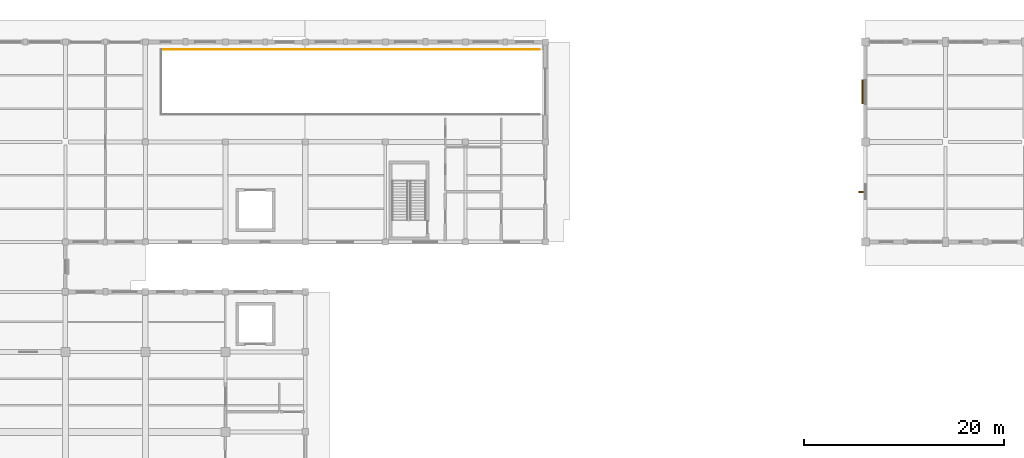
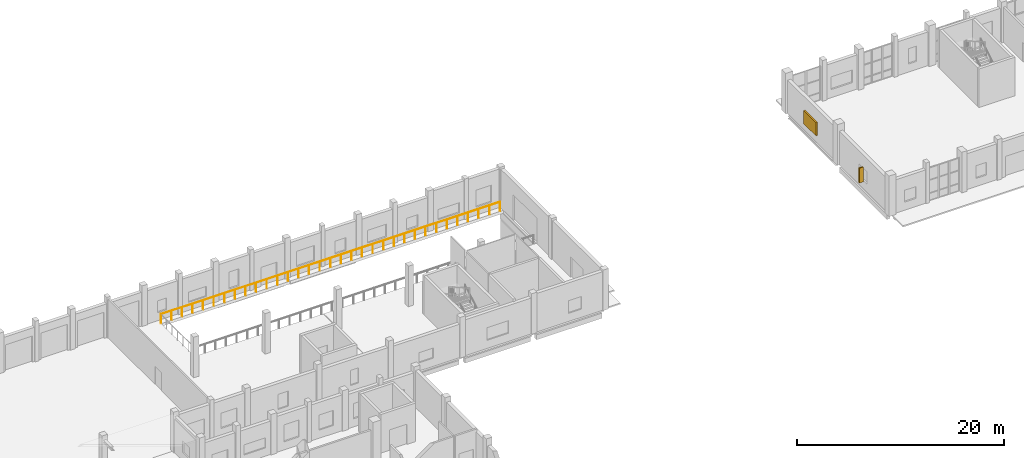
# One storey, part 148 of 156: 2 shading devices, 1 railing.
"""IFC4 building model written with IfcOpenShell, lengths in metres."""

import ifcopenshell
import ifcopenshell.guid

model = None  # the IFC model being written
_history = None  # IfcOwnerHistory: only IFC2X3 demands one
_inside = {}  # id of a spatial element -> (the spatial element, [elements in it])
_under = {}  # id of a project, library or spatial element -> (it, [spatial elements below it])
_declared = {}  # id of a project -> (the project, [libraries it declares])
_typed = {}  # id of a type object -> (the type object, [elements of that type])
_made_of = {}  # id of a material, layer set ... -> (it, [elements and type objects made of it])


def new_model(schema):
    """Start an empty IFC model of exactly this schema.

    Asked for "IFC4X3", IfcOpenShell would pick the latest addendum, in which some entities
    have other attributes; the version numbers below select the first issue.
    IFC2X3 requires an IfcOwnerHistory on every rooted entity: one is made here for all.
    """
    global model, _history
    if schema == "IFC4X3":
        model = ifcopenshell.file(schema_version=(4, 3, 0, 0))
    else:
        model = ifcopenshell.file(schema=schema)
    _inside.clear()
    _under.clear()
    _declared.clear()
    _typed.clear()
    _made_of.clear()
    _history = None
    if model.schema == "IFC2X3":
        org = make("IfcOrganization", Name="unknown")
        user = make(
            "IfcPersonAndOrganization",
            ThePerson=make("IfcPerson", FamilyName="unknown"),
            TheOrganization=org,
        )
        app = make(
            "IfcApplication",
            ApplicationDeveloper=org,
            Version="unknown",
            ApplicationFullName="unknown",
            ApplicationIdentifier="unknown",
        )
        _history = make(
            "IfcOwnerHistory",
            OwningUser=user,
            OwningApplication=app,
            ChangeAction="ADDED",
            CreationDate=0,
        )
    return model


def make(cls, **values):
    """One entity of the class cls with the attributes given. An attribute that is None is left unset."""
    return model.create_entity(
        cls, **{name: value for name, value in values.items() if value is not None}
    )


def rooted(cls, **values):
    """An entity with a GlobalId (a new one), such as an element, a storey or a relation."""
    return make(cls, GlobalId=ifcopenshell.guid.new(), OwnerHistory=_history, **values)


def si_unit(unit_type, name, prefix=None):
    """IfcSIUnit, for example si_unit("LENGTHUNIT", "METRE", prefix="MILLI")."""
    return make("IfcSIUnit", UnitType=unit_type, Prefix=prefix, Name=name)


def assignment(units):
    """IfcUnitAssignment: the units of a project."""
    return None if units is None else make("IfcUnitAssignment", Units=units)


def point(xyz):
    """IfcCartesianPoint."""
    return None if xyz is None else make("IfcCartesianPoint", Coordinates=xyz)


def direction(xyz):
    """IfcDirection."""
    return None if xyz is None else make("IfcDirection", DirectionRatios=xyz)


def frame(location, z_axis=None, x_axis=None):
    """IfcAxis2Placement3D, a coordinate frame: its origin and axes. An axis left out is left unset."""
    return make(
        "IfcAxis2Placement3D",
        Location=point(location),
        Axis=direction(z_axis),
        RefDirection=direction(x_axis),
    )


def frame_2d(location, x_axis=None):
    """IfcAxis2Placement2D, a coordinate frame in the plane: its origin and x axis."""
    return make(
        "IfcAxis2Placement2D", Location=point(location), RefDirection=direction(x_axis)
    )


def origin():
    """The frame at (0, 0, 0) with its axes left unset."""
    return frame((0.0, 0.0, 0.0))


def origin_2d():
    """The frame at (0, 0) in the plane with its x axis left unset."""
    return frame_2d((0.0, 0.0))


def place(relative_to, where):
    """IfcLocalPlacement: puts the frame where relative to a parent placement (None: the world)."""
    return make(
        "IfcLocalPlacement", PlacementRelTo=relative_to, RelativePlacement=where
    )


def context(
    kind, dimensions, precision=None, world=None, true_north=None, identifier=None
):
    """IfcGeometricRepresentationContext, for example the 3D "Model" context."""
    return make(
        "IfcGeometricRepresentationContext",
        ContextIdentifier=identifier,
        ContextType=kind,
        CoordinateSpaceDimension=dimensions,
        Precision=precision,
        WorldCoordinateSystem=world,
        TrueNorth=true_north,
    )


def subcontext(parent, identifier, kind, view, scale=None):
    """IfcGeometricRepresentationSubContext, for example "Body" below "Model"."""
    return make(
        "IfcGeometricRepresentationSubContext",
        ContextIdentifier=identifier,
        ContextType=kind,
        ParentContext=parent,
        TargetScale=scale,
        TargetView=view,
    )


def project(units=None, contexts=None):
    """IfcProject with its units and contexts."""
    return rooted(
        "IfcProject",
        Name="project",
        RepresentationContexts=contexts,
        UnitsInContext=assignment(units),
    )


def spatial(cls, under=None, at=None, **own):
    """A site, building, storey or space (cls), placed at a placement, below another one or the project."""
    s = rooted(cls, ObjectPlacement=at, **own)
    if under is not None:
        _under.setdefault(under.id(), (under, []))[1].append(s)
    return s


def profile(cls, at=None, kind="AREA", **sizes):
    """A parametric profile (cls). Its sizes go by their IFC names, for example OverallWidth=200.0."""
    return make(cls, ProfileType=kind, Position=at, **sizes)


def rectangle(**sizes):
    """IfcRectangleProfileDef."""
    return profile("IfcRectangleProfileDef", **sizes)


def circle(**sizes):
    """IfcCircleProfileDef."""
    return profile("IfcCircleProfileDef", **sizes)


def extrude(swept, where, along, depth):
    """IfcExtrudedAreaSolid: the profile swept, set in the frame where, extruded along a direction by depth."""
    return make(
        "IfcExtrudedAreaSolid",
        SweptArea=swept,
        Position=where,
        ExtrudedDirection=direction(along),
        Depth=depth,
    )


def shape(context_of_items, identifier, shape_type, items):
    """IfcShapeRepresentation: the items that make up one representation, for example the "Body"."""
    return make(
        "IfcShapeRepresentation",
        ContextOfItems=context_of_items,
        RepresentationIdentifier=identifier,
        RepresentationType=shape_type,
        Items=items,
    )


def material(Name=None, Category=None):
    """IfcMaterial."""
    return make("IfcMaterial", Name=Name, Category=Category)


def made_of(thing, what):
    """Note that an element or type object is made of a material, layer set ...; save() writes the relation."""
    if what is not None:
        _made_of.setdefault(what.id(), (what, []))[1].append(thing)
    return thing


def type_object(cls, material=None, **own):
    """A type object (cls), such as IfcWallType, which elements share."""
    return made_of(rooted(cls, **own), material)


def element(
    cls,
    number,
    at=None,
    inside=None,
    cuts=None,
    type_object=None,
    material=None,
    context=None,
    identifier="Body",
    shape_type=None,
    held_by="IfcProductDefinitionShape",
    body=None,
    shapes=None,
    **own,
):
    """One element of the class cls, such as IfcWall. Its Tag is "e" and its number.

    at: its placement. inside: the storey or other place that contains it. cuts: it is an
    opening in that element (IfcRelVoidsElement). A single representation is given by context,
    identifier, shape_type and body (its items); several are given by shapes. held_by: the class
    of the entity that holds the representations. save() writes the other relations.
    """
    e = rooted(cls, Tag="e%d" % number, ObjectPlacement=at, **own)
    if body is not None:
        shapes = [shape(context, identifier, shape_type, body)]
    if shapes is not None:
        e.Representation = make(held_by, Representations=shapes)
    if inside is not None:
        _inside.setdefault(inside.id(), (inside, []))[1].append(e)
    if cuts is not None:
        rooted(
            "IfcRelVoidsElement", RelatingBuildingElement=cuts, RelatedOpeningElement=e
        )
    if type_object is not None:
        _typed.setdefault(type_object.id(), (type_object, []))[1].append(e)
    return made_of(e, material)


def aggregate(whole, parts):
    """IfcRelAggregates: a whole, such as a stair, and the parts it consists of."""
    return rooted("IfcRelAggregates", RelatingObject=whole, RelatedObjects=parts)


def save(model, path):
    """Write the relations noted so far, then the file.

    IfcRelAggregates (storeys below a building ...), IfcRelContainedInSpatialStructure (elements
    in a storey), IfcRelDefinesByType, IfcRelAssociatesMaterial and IfcRelDeclares: one each for
    every whole, place, type object, material and project.
    """
    for whole, parts in _under.values():
        aggregate(whole, parts)
    for where, things in _inside.values():
        rooted(
            "IfcRelContainedInSpatialStructure",
            RelatedElements=things,
            RelatingStructure=where,
        )
    for kind, things in _typed.values():
        rooted("IfcRelDefinesByType", RelatedObjects=things, RelatingType=kind)
    for what, things in _made_of.values():
        rooted("IfcRelAssociatesMaterial", RelatedObjects=things, RelatingMaterial=what)
    for by, libraries in _declared.values():
        rooted("IfcRelDeclares", RelatingContext=by, RelatedDefinitions=libraries)
    model.write(path)


model = new_model("IFC4")

# Units and contexts
model_context = context("Model", 3, precision=1e-05, world=origin(), true_north=direction((0.0, 1.0)))
body_context = subcontext(model_context, "Body", "Model", "MODEL_VIEW")
ifc_project = project(units=[si_unit("LENGTHUNIT", "METRE"), si_unit("AREAUNIT", "SQUARE_METRE"), si_unit("VOLUMEUNIT", "CUBIC_METRE"), si_unit("PLANEANGLEUNIT", "RADIAN"), si_unit("MASSUNIT", "GRAM", prefix="KILO")], contexts=[model_context])

# Site, building, storey
site_placement = place(None, origin())
site = spatial("IfcSite", under=ifc_project, at=site_placement, CompositionType="ELEMENT")
building_placement = place(site_placement, origin())
building = spatial("IfcBuilding", under=site, at=building_placement, Name="Luwemba Playhouse", CompositionType="ELEMENT")
storey_placement = place(building_placement, origin())
storey = spatial("IfcBuildingStorey", under=building, at=storey_placement, Name="L00", CompositionType="ELEMENT", Elevation=0.0)

# Railing
ifc_material_1 = material(Name="Painted wrought-iron balustrade", Category="steel")
railing_type = type_object("IfcRailingType", Name="RLG-BAL-EXT", PredefinedType="BALUSTRADE", material=ifc_material_1)
railing_placement = place(storey_placement, frame((37.550048828125, 114.25, 0.0)))
element("IfcRailing", 1, at=railing_placement, inside=storey, type_object=railing_type, Name="Car park ramp portal guard 021", PredefinedType="BALUSTRADE", context=body_context, shape_type="SweptSolid", body=[
    extrude(circle(Radius=0.02392578125, at=origin_2d()), frame((0.0, 0.0, 1.09619140625), z_axis=(1.0, 0.0, 0.0), x_axis=(0.0, 1.0, 0.0)), (0.0, 0.0, 1.0), 37.89990234375),
    extrude(circle(Radius=0.02099609375, at=origin_2d()), origin(), (0.0, 0.0, 1.0), 1.072021484375),
    extrude(circle(Radius=0.02099609375, at=origin_2d()), frame((1.184326171875, 0.0, 0.0)), (0.0, 0.0, 1.0), 1.072021484375),
    extrude(circle(Radius=0.02099609375, at=origin_2d()), frame((2.36865234375, 0.0, 0.0)), (0.0, 0.0, 1.0), 1.072021484375),
    extrude(circle(Radius=0.02099609375, at=origin_2d()), frame((3.55322265625, 0.0, 0.0)), (0.0, 0.0, 1.0), 1.072021484375),
    extrude(circle(Radius=0.02099609375, at=origin_2d()), frame((4.737548828125, 0.0, 0.0)), (0.0, 0.0, 1.0), 1.072021484375),
    extrude(circle(Radius=0.02099609375, at=origin_2d()), frame((5.921875, 0.0, 0.0)), (0.0, 0.0, 1.0), 1.072021484375),
    extrude(circle(Radius=0.02099609375, at=origin_2d()), frame((7.106201171875, 0.0, 0.0)), (0.0, 0.0, 1.0), 1.072021484375),
    extrude(circle(Radius=0.02099609375, at=origin_2d()), frame((8.29052734375, 0.0, 0.0)), (0.0, 0.0, 1.0), 1.072021484375),
    extrude(circle(Radius=0.02099609375, at=origin_2d()), frame((9.47509765625, 0.0, 0.0)), (0.0, 0.0, 1.0), 1.072021484375),
    extrude(circle(Radius=0.02099609375, at=origin_2d()), frame((10.659423828125, 0.0, 0.0)), (0.0, 0.0, 1.0), 1.072021484375),
    extrude(circle(Radius=0.02099609375, at=origin_2d()), frame((11.84375, 0.0, 0.0)), (0.0, 0.0, 1.0), 1.072021484375),
    extrude(circle(Radius=0.02099609375, at=origin_2d()), frame((13.028076171875, 0.0, 0.0)), (0.0, 0.0, 1.0), 1.072021484375),
    extrude(circle(Radius=0.02099609375, at=origin_2d()), frame((14.21240234375, 0.0, 0.0)), (0.0, 0.0, 1.0), 1.072021484375),
    extrude(circle(Radius=0.02099609375, at=origin_2d()), frame((15.396728515625, 0.0, 0.0)), (0.0, 0.0, 1.0), 1.072021484375),
    extrude(circle(Radius=0.02099609375, at=origin_2d()), frame((16.581298828125, 0.0, 0.0)), (0.0, 0.0, 1.0), 1.072021484375),
    extrude(circle(Radius=0.02099609375, at=origin_2d()), frame((17.765625, 0.0, 0.0)), (0.0, 0.0, 1.0), 1.072021484375),
    extrude(circle(Radius=0.02099609375, at=origin_2d()), frame((18.949951171875, 0.0, 0.0)), (0.0, 0.0, 1.0), 1.072021484375),
    extrude(circle(Radius=0.02099609375, at=origin_2d()), frame((20.13427734375, 0.0, 0.0)), (0.0, 0.0, 1.0), 1.072021484375),
    extrude(circle(Radius=0.02099609375, at=origin_2d()), frame((21.318603515625, 0.0, 0.0)), (0.0, 0.0, 1.0), 1.072021484375),
    extrude(circle(Radius=0.02099609375, at=origin_2d()), frame((22.503173828125, 0.0, 0.0)), (0.0, 0.0, 1.0), 1.072021484375),
    extrude(circle(Radius=0.02099609375, at=origin_2d()), frame((23.6875, 0.0, 0.0)), (0.0, 0.0, 1.0), 1.072021484375),
    extrude(circle(Radius=0.02099609375, at=origin_2d()), frame((24.871826171875, 0.0, 0.0)), (0.0, 0.0, 1.0), 1.072021484375),
    extrude(circle(Radius=0.02099609375, at=origin_2d()), frame((26.05615234375, 0.0, 0.0)), (0.0, 0.0, 1.0), 1.072021484375),
    extrude(circle(Radius=0.02099609375, at=origin_2d()), frame((27.240478515625, 0.0, 0.0)), (0.0, 0.0, 1.0), 1.072021484375),
    extrude(circle(Radius=0.02099609375, at=origin_2d()), frame((28.4248046875, 0.0, 0.0)), (0.0, 0.0, 1.0), 1.072021484375),
    extrude(circle(Radius=0.02099609375, at=origin_2d()), frame((29.609375, 0.0, 0.0)), (0.0, 0.0, 1.0), 1.072021484375),
    extrude(circle(Radius=0.02099609375, at=origin_2d()), frame((30.793701171875, 0.0, 0.0)), (0.0, 0.0, 1.0), 1.072021484375),
    extrude(circle(Radius=0.02099609375, at=origin_2d()), frame((31.97802734375, 0.0, 0.0)), (0.0, 0.0, 1.0), 1.072021484375),
    extrude(circle(Radius=0.02099609375, at=origin_2d()), frame((33.162353515625, 0.0, 0.0)), (0.0, 0.0, 1.0), 1.072021484375),
    extrude(circle(Radius=0.02099609375, at=origin_2d()), frame((34.3466796875, 0.0, 0.0)), (0.0, 0.0, 1.0), 1.072021484375),
    extrude(circle(Radius=0.02099609375, at=origin_2d()), frame((35.53125, 0.0, 0.0)), (0.0, 0.0, 1.0), 1.072021484375),
    extrude(circle(Radius=0.02099609375, at=origin_2d()), frame((36.715576171875, 0.0, 0.0)), (0.0, 0.0, 1.0), 1.072021484375),
    extrude(circle(Radius=0.02099609375, at=origin_2d()), frame((37.89990234375, 0.0, 0.0)), (0.0, 0.0, 1.0), 1.072021484375),
])

# Shading devices
ifc_material_2 = material(Name="Extruded terracotta brise-soleil fin on steel bracket", Category="masonry")
shading_device_type_1 = type_object("IfcShadingDeviceType", Name="SHD-BRISE", PredefinedType="USERDEFINED", material=ifc_material_2)
shading_device_1_placement = place(storey_placement, frame((107.590087890625, 100.0, 0.824951171875), z_axis=(0.0, 0.0, 1.0), x_axis=(0.0, 1.0, 0.0)))
element("IfcShadingDevice", 2, at=shading_device_1_placement, inside=storey, type_object=shading_device_type_1, Name="L00 terracotta brise-soleil fin 013", ObjectType="TERRACOTTA BRISE SOLEIL", PredefinedType="USERDEFINED", context=body_context, shape_type="SweptSolid", body=[
    extrude(rectangle(XDim=0.139892578125, YDim=0.449951171875, at=origin_2d()), origin(), (0.0, 0.0, 1.0), 1.75),
])
ifc_material_3 = material(Name="Kiln-fired terracotta gelosia louvre screen", Category="masonry")
shading_device_type_2 = type_object("IfcShadingDeviceType", Name="SHD-GELOSIA", PredefinedType="JALOUSIE", material=ifc_material_3)
shading_device_2_placement = place(storey_placement, frame((107.72509765625, 110.0, 0.9248046875), z_axis=(0.0, 0.0, 1.0), x_axis=(0.0, 1.0, 0.0)))
element("IfcShadingDevice", 3, at=shading_device_2_placement, inside=storey, type_object=shading_device_type_2, Name="L00 fired-clay gelosia screen 014", PredefinedType="JALOUSIE", context=body_context, shape_type="SweptSolid", body=[
    extrude(rectangle(XDim=2.39990234375, YDim=0.179931640625, at=origin_2d()), origin(), (0.0, 0.0, 1.0), 1.550048828125),
])

save(model, "model.ifc")
